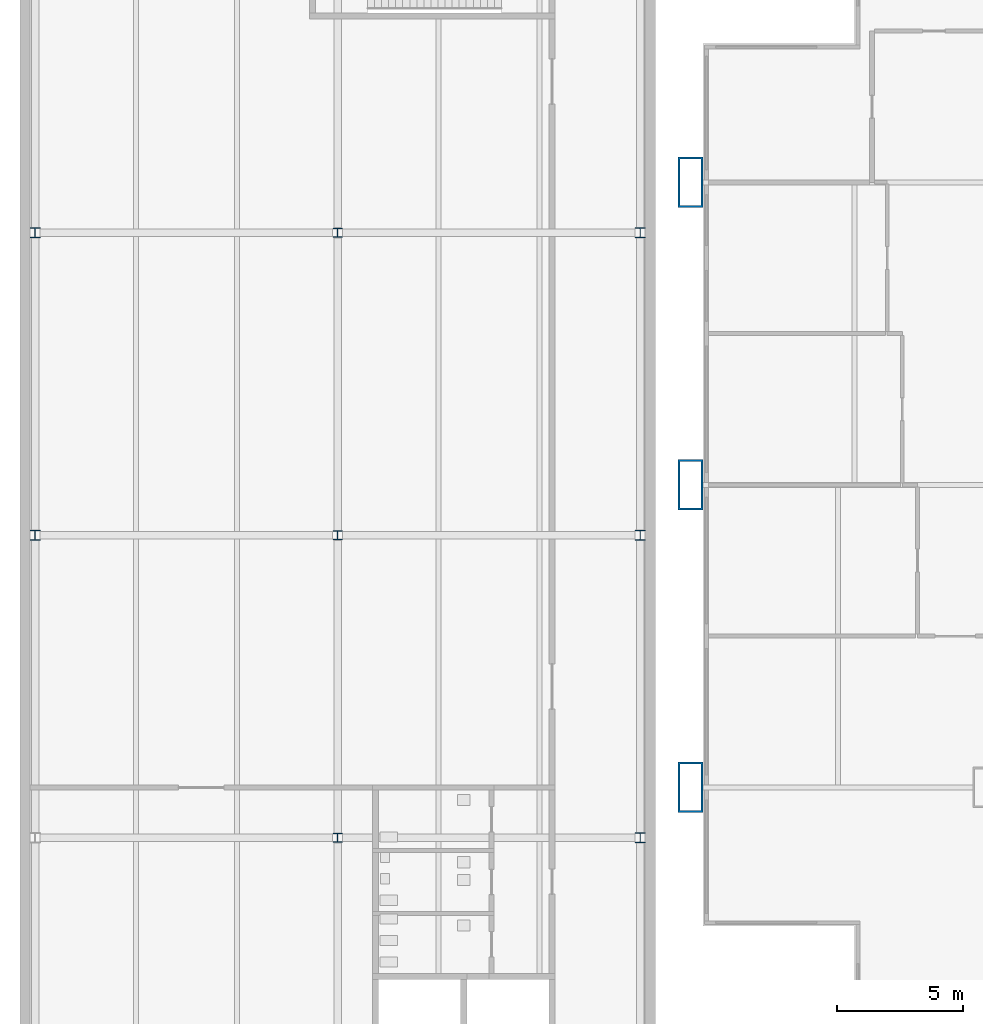
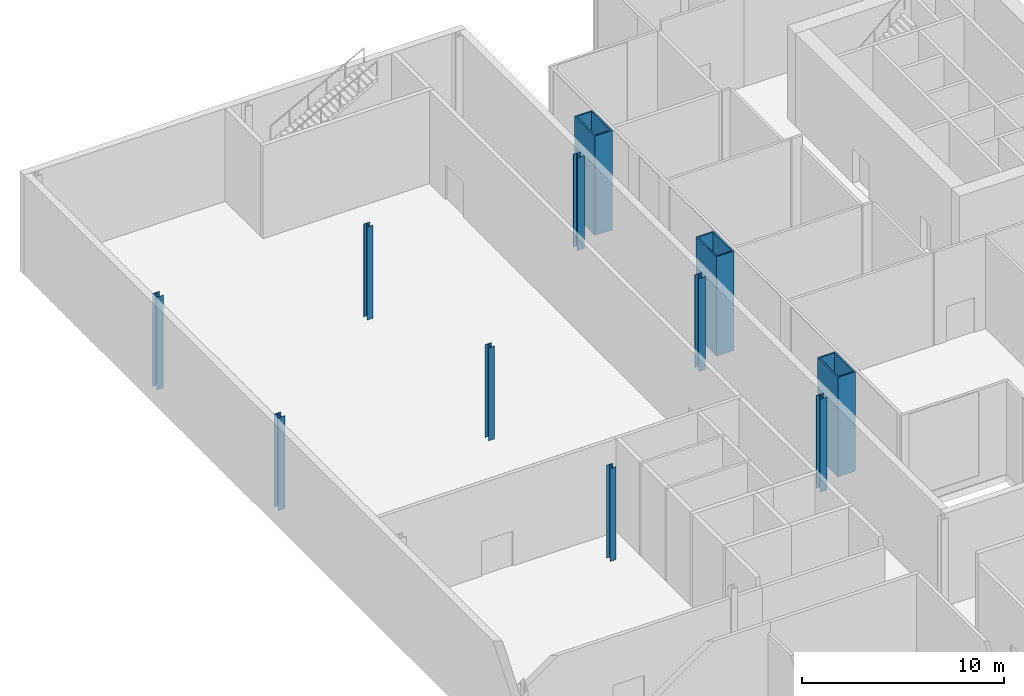
# One storey, part 3 of 25: 11 columns.
"""IFC4 building model written with IfcOpenShell, lengths in metres."""

from ifc_helpers import new_model, si_unit, direction, frame, origin, origin_2d, place, context, subcontext, project, spatial, hollow_rectangle, i_section, extrude, material, material_profile, profile_set, type_object, element, save


model = new_model("IFC4")

# Units and contexts
model_context = context("Model", 3, precision=1e-05, world=origin(), true_north=direction((0.0, 1.0)))
body_context = subcontext(model_context, "Body", "Model", "MODEL_VIEW")
ifc_project = project(units=[si_unit("LENGTHUNIT", "METRE"), si_unit("AREAUNIT", "SQUARE_METRE"), si_unit("VOLUMEUNIT", "CUBIC_METRE"), si_unit("PLANEANGLEUNIT", "RADIAN"), si_unit("MASSUNIT", "GRAM", prefix="KILO")], contexts=[model_context])

# Site, building, storey
site_placement = place(None, origin())
site = spatial("IfcSite", under=ifc_project, at=site_placement, CompositionType="ELEMENT")
building_placement = place(site_placement, origin())
building = spatial("IfcBuilding", under=site, at=building_placement, Name="Kitamizu Gate Tower and Museum", CompositionType="ELEMENT")
storey_placement = place(building_placement, frame((0.0, 0.0, 12.0)))
storey = spatial("IfcBuildingStorey", under=building, at=storey_placement, Name="L02", CompositionType="ELEMENT", Elevation=12.0)

# Columns
ifc_material_1 = material(Name="Steel SS400", Category="steel")
ifc_material_profile_1 = material_profile(ifc_material_1, i_section(OverallWidth=0.35009765625, OverallDepth=0.35009765625, WebThickness=0.011962890625, FlangeThickness=0.01904296875, FilletRadius=0.012939453125, at=origin_2d()), Name="H-350x350x12x19")
ifc_profile_set_1 = profile_set([ifc_material_profile_1], Name="Steel SS400")
column_type_1 = type_object("IfcColumnType", Name="Museum column H 350x350x12x19", PredefinedType="COLUMN", material=ifc_profile_set_1)
for number, where, z_axis, x_axis, name in (
    (1, (-14.0, 10.0, 0.0), (0.0, 0.0, 1.0), (1.0, 0.0, 0.0), "Column M2MD"),
    (2, (-14.0, 22.0, 0.0), (0.0, 0.0, 1.0), (1.0, 0.0, 0.0), "Column M2ME"),
    (3, (-14.0, 34.0, 0.0), (0.0, 0.0, 1.0), (1.0, 0.0, 0.0), "Column M2MF"),
):
    element("IfcColumn", number, at=place(storey_placement, frame(where, z_axis=z_axis, x_axis=x_axis)), inside=storey, type_object=column_type_1, Name=name, PredefinedType="COLUMN", context=body_context, shape_type="SweptSolid", body=[
        extrude(i_section(OverallWidth=0.35009765625, OverallDepth=0.35009765625, WebThickness=0.011962890625, FlangeThickness=0.01904296875, FilletRadius=0.012939453125, at=origin_2d()), origin(), (0.0, 0.0, 1.0), 5.60009765625),
    ])
ifc_material_2 = material(Name="Steel SS400", Category="steel")
ifc_material_profile_2 = material_profile(ifc_material_2, i_section(OverallWidth=0.39990234375, OverallDepth=0.39990234375, WebThickness=0.012939453125, FlangeThickness=0.02099609375, FilletRadius=0.02197265625, at=origin_2d()), Name="H-400x400x13x21")
ifc_profile_set_2 = profile_set([ifc_material_profile_2], Name="Steel SS400")
column_type_2 = type_object("IfcColumnType", Name="Museum perimeter column H 400x400x13x21", PredefinedType="COLUMN", material=ifc_profile_set_2)
for number, where, z_axis, x_axis, name in (
    (4, (-26.0, 22.0, 0.0), (0.0, 0.0, 1.0), (1.0, 0.0, 0.0), "Column M1ME"),
    (5, (-26.0, 34.0, 0.0), (0.0, 0.0, 1.0), (1.0, 0.0, 0.0), "Column M1MF"),
    (6, (-2.0, 10.0, 0.0), (0.0, 0.0, 1.0), (1.0, 0.0, 0.0), "Column M3MD"),
    (7, (-2.0, 22.0, 0.0), (0.0, 0.0, 1.0), (1.0, 0.0, 0.0), "Column M3ME"),
    (8, (-2.0, 34.0, 0.0), (0.0, 0.0, 1.0), (1.0, 0.0, 0.0), "Column M3MF"),
):
    element("IfcColumn", number, at=place(storey_placement, frame(where, z_axis=z_axis, x_axis=x_axis)), inside=storey, type_object=column_type_2, Name=name, PredefinedType="COLUMN", context=body_context, shape_type="SweptSolid", body=[
        extrude(i_section(OverallWidth=0.39990234375, OverallDepth=0.39990234375, WebThickness=0.012939453125, FlangeThickness=0.02099609375, FilletRadius=0.02197265625, at=origin_2d()), origin(), (0.0, 0.0, 1.0), 5.60009765625),
    ])
ifc_material_3 = material(Name="Steel SM490A bronze coated", Category="steel")
ifc_material_profile_3 = material_profile(ifc_material_3, hollow_rectangle(XDim=2.0, YDim=1.0, WallThickness=0.080078125, at=origin_2d()), Name="BOX 2000x1000x80")
ifc_profile_set_3 = profile_set([ifc_material_profile_3], Name="Steel SM490A bronze coated")
column_type_3 = type_object("IfcColumnType", Name="Podium leg column LC1 BOX 2000x1000x80", PredefinedType="COLUMN", material=ifc_profile_set_3)
for number, where, z_axis, x_axis, name in (
    (9, (0.0, 12.0, -0.39990234375), (0.0, 0.0, 1.0), (0.0, 1.0, 0.0), "Column LC1 1B L02"),
    (10, (0.0, 24.0, -0.39990234375), (0.0, 0.0, 1.0), (0.0, 1.0, 0.0), "Column LC1 1C L02"),
    (11, (0.0, 36.0, -0.39990234375), (0.0, 0.0, 1.0), (0.0, 1.0, 0.0), "Column LC1 1D L02"),
):
    element("IfcColumn", number, at=place(storey_placement, frame(where, z_axis=z_axis, x_axis=x_axis)), inside=storey, type_object=column_type_3, Name=name, PredefinedType="COLUMN", context=body_context, shape_type="SweptSolid", body=[
        extrude(hollow_rectangle(XDim=2.0, YDim=1.0, WallThickness=0.080078125, at=origin_2d()), origin(), (0.0, 0.0, 1.0), 6.0),
    ])

save(model, "model.ifc")
